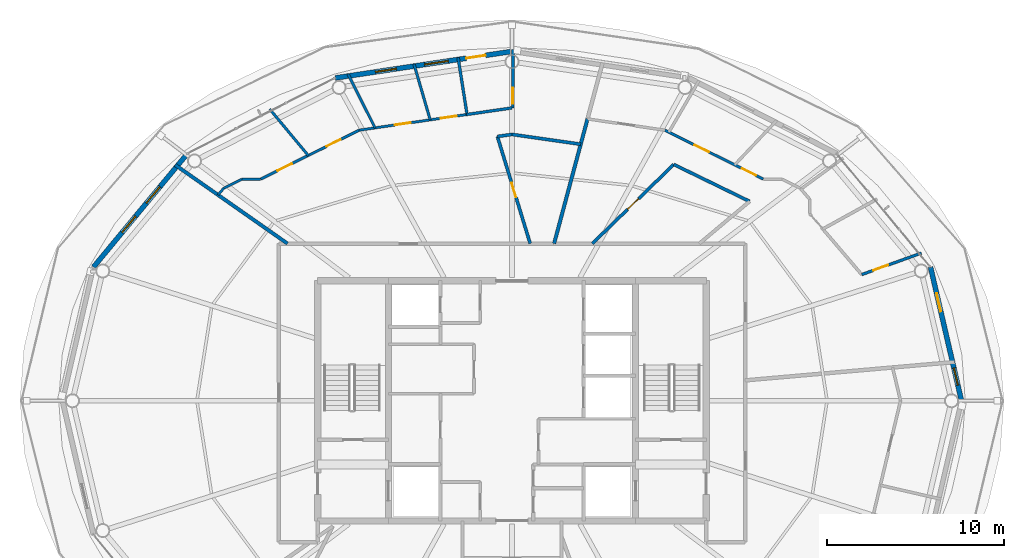
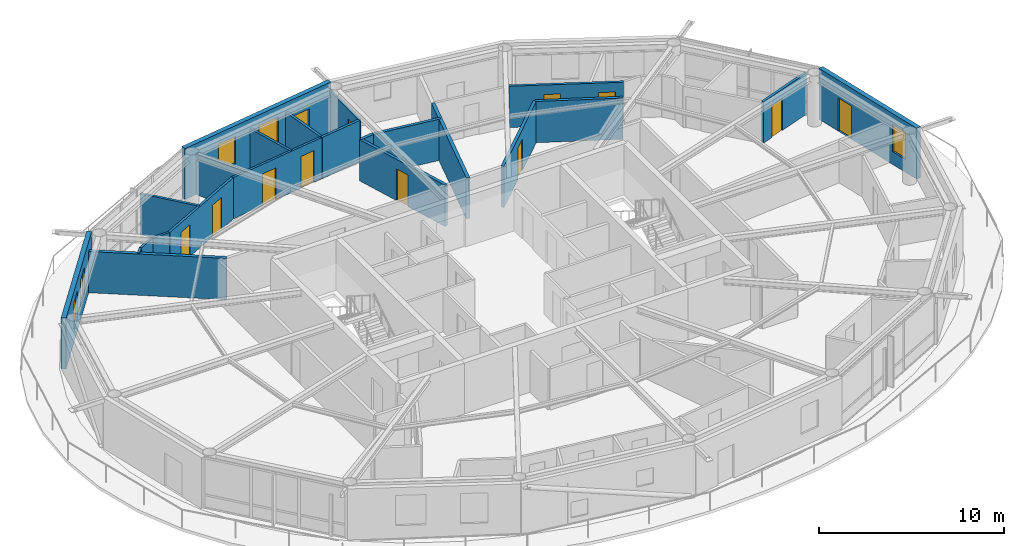
# One storey, part 19 of 23: 23 walls, 12 doors, 5 windows, 17 openings.
"""IFC4 building model written with IfcOpenShell, lengths in metres."""

import ifcopenshell
import ifcopenshell.guid

model = None  # the IFC model being written
_history = None  # IfcOwnerHistory: only IFC2X3 demands one
_inside = {}  # id of a spatial element -> (the spatial element, [elements in it])
_under = {}  # id of a project, library or spatial element -> (it, [spatial elements below it])
_declared = {}  # id of a project -> (the project, [libraries it declares])
_typed = {}  # id of a type object -> (the type object, [elements of that type])
_made_of = {}  # id of a material, layer set ... -> (it, [elements and type objects made of it])


def new_model(schema):
    """Start an empty IFC model of exactly this schema.

    Asked for "IFC4X3", IfcOpenShell would pick the latest addendum, in which some entities
    have other attributes; the version numbers below select the first issue.
    IFC2X3 requires an IfcOwnerHistory on every rooted entity: one is made here for all.
    """
    global model, _history
    if schema == "IFC4X3":
        model = ifcopenshell.file(schema_version=(4, 3, 0, 0))
    else:
        model = ifcopenshell.file(schema=schema)
    _inside.clear()
    _under.clear()
    _declared.clear()
    _typed.clear()
    _made_of.clear()
    _history = None
    if model.schema == "IFC2X3":
        org = make("IfcOrganization", Name="unknown")
        user = make(
            "IfcPersonAndOrganization",
            ThePerson=make("IfcPerson", FamilyName="unknown"),
            TheOrganization=org,
        )
        app = make(
            "IfcApplication",
            ApplicationDeveloper=org,
            Version="unknown",
            ApplicationFullName="unknown",
            ApplicationIdentifier="unknown",
        )
        _history = make(
            "IfcOwnerHistory",
            OwningUser=user,
            OwningApplication=app,
            ChangeAction="ADDED",
            CreationDate=0,
        )
    return model


def make(cls, **values):
    """One entity of the class cls with the attributes given. An attribute that is None is left unset."""
    return model.create_entity(
        cls, **{name: value for name, value in values.items() if value is not None}
    )


def rooted(cls, **values):
    """An entity with a GlobalId (a new one), such as an element, a storey or a relation."""
    return make(cls, GlobalId=ifcopenshell.guid.new(), OwnerHistory=_history, **values)


def si_unit(unit_type, name, prefix=None):
    """IfcSIUnit, for example si_unit("LENGTHUNIT", "METRE", prefix="MILLI")."""
    return make("IfcSIUnit", UnitType=unit_type, Prefix=prefix, Name=name)


def assignment(units):
    """IfcUnitAssignment: the units of a project."""
    return None if units is None else make("IfcUnitAssignment", Units=units)


def point(xyz):
    """IfcCartesianPoint."""
    return None if xyz is None else make("IfcCartesianPoint", Coordinates=xyz)


def direction(xyz):
    """IfcDirection."""
    return None if xyz is None else make("IfcDirection", DirectionRatios=xyz)


def frame(location, z_axis=None, x_axis=None):
    """IfcAxis2Placement3D, a coordinate frame: its origin and axes. An axis left out is left unset."""
    return make(
        "IfcAxis2Placement3D",
        Location=point(location),
        Axis=direction(z_axis),
        RefDirection=direction(x_axis),
    )


def frame_2d(location, x_axis=None):
    """IfcAxis2Placement2D, a coordinate frame in the plane: its origin and x axis."""
    return make(
        "IfcAxis2Placement2D", Location=point(location), RefDirection=direction(x_axis)
    )


def origin():
    """The frame at (0, 0, 0) with its axes left unset."""
    return frame((0.0, 0.0, 0.0))


def place(relative_to, where):
    """IfcLocalPlacement: puts the frame where relative to a parent placement (None: the world)."""
    return make(
        "IfcLocalPlacement", PlacementRelTo=relative_to, RelativePlacement=where
    )


def context(
    kind, dimensions, precision=None, world=None, true_north=None, identifier=None
):
    """IfcGeometricRepresentationContext, for example the 3D "Model" context."""
    return make(
        "IfcGeometricRepresentationContext",
        ContextIdentifier=identifier,
        ContextType=kind,
        CoordinateSpaceDimension=dimensions,
        Precision=precision,
        WorldCoordinateSystem=world,
        TrueNorth=true_north,
    )


def subcontext(parent, identifier, kind, view, scale=None):
    """IfcGeometricRepresentationSubContext, for example "Body" below "Model"."""
    return make(
        "IfcGeometricRepresentationSubContext",
        ContextIdentifier=identifier,
        ContextType=kind,
        ParentContext=parent,
        TargetScale=scale,
        TargetView=view,
    )


def project(units=None, contexts=None):
    """IfcProject with its units and contexts."""
    return rooted(
        "IfcProject",
        Name="project",
        RepresentationContexts=contexts,
        UnitsInContext=assignment(units),
    )


def spatial(cls, under=None, at=None, **own):
    """A site, building, storey or space (cls), placed at a placement, below another one or the project."""
    s = rooted(cls, ObjectPlacement=at, **own)
    if under is not None:
        _under.setdefault(under.id(), (under, []))[1].append(s)
    return s


def profile(cls, at=None, kind="AREA", **sizes):
    """A parametric profile (cls). Its sizes go by their IFC names, for example OverallWidth=200.0."""
    return make(cls, ProfileType=kind, Position=at, **sizes)


def rectangle(**sizes):
    """IfcRectangleProfileDef."""
    return profile("IfcRectangleProfileDef", **sizes)


def extrude(swept, where, along, depth):
    """IfcExtrudedAreaSolid: the profile swept, set in the frame where, extruded along a direction by depth."""
    return make(
        "IfcExtrudedAreaSolid",
        SweptArea=swept,
        Position=where,
        ExtrudedDirection=direction(along),
        Depth=depth,
    )


def shape(context_of_items, identifier, shape_type, items):
    """IfcShapeRepresentation: the items that make up one representation, for example the "Body"."""
    return make(
        "IfcShapeRepresentation",
        ContextOfItems=context_of_items,
        RepresentationIdentifier=identifier,
        RepresentationType=shape_type,
        Items=items,
    )


def material(Name=None, Category=None):
    """IfcMaterial."""
    return make("IfcMaterial", Name=Name, Category=Category)


def layer(
    of_material, thickness, ventilated=None, Name=None, Category=None, Priority=None
):
    """IfcMaterialLayer: one layer of a wall or slab, of a material (None: an air gap)."""
    return make(
        "IfcMaterialLayer",
        Material=of_material,
        LayerThickness=thickness,
        IsVentilated=ventilated,
        Name=Name,
        Category=Category,
        Priority=Priority,
    )


def layer_set(layers, Name=None):
    """IfcMaterialLayerSet."""
    return make("IfcMaterialLayerSet", MaterialLayers=layers, LayerSetName=Name)


def made_of(thing, what):
    """Note that an element or type object is made of a material, layer set ...; save() writes the relation."""
    if what is not None:
        _made_of.setdefault(what.id(), (what, []))[1].append(thing)
    return thing


def type_object(cls, material=None, **own):
    """A type object (cls), such as IfcWallType, which elements share."""
    return made_of(rooted(cls, **own), material)


def element(
    cls,
    number,
    at=None,
    inside=None,
    cuts=None,
    type_object=None,
    material=None,
    context=None,
    identifier="Body",
    shape_type=None,
    held_by="IfcProductDefinitionShape",
    body=None,
    shapes=None,
    **own,
):
    """One element of the class cls, such as IfcWall. Its Tag is "e" and its number.

    at: its placement. inside: the storey or other place that contains it. cuts: it is an
    opening in that element (IfcRelVoidsElement). A single representation is given by context,
    identifier, shape_type and body (its items); several are given by shapes. held_by: the class
    of the entity that holds the representations. save() writes the other relations.
    """
    e = rooted(cls, Tag="e%d" % number, ObjectPlacement=at, **own)
    if body is not None:
        shapes = [shape(context, identifier, shape_type, body)]
    if shapes is not None:
        e.Representation = make(held_by, Representations=shapes)
    if inside is not None:
        _inside.setdefault(inside.id(), (inside, []))[1].append(e)
    if cuts is not None:
        rooted(
            "IfcRelVoidsElement", RelatingBuildingElement=cuts, RelatedOpeningElement=e
        )
    if type_object is not None:
        _typed.setdefault(type_object.id(), (type_object, []))[1].append(e)
    return made_of(e, material)


def fill(opening, filler):
    """IfcRelFillsElement: the door or window that sits in an opening."""
    return rooted(
        "IfcRelFillsElement",
        RelatingOpeningElement=opening,
        RelatedBuildingElement=filler,
    )


def aggregate(whole, parts):
    """IfcRelAggregates: a whole, such as a stair, and the parts it consists of."""
    return rooted("IfcRelAggregates", RelatingObject=whole, RelatedObjects=parts)


def save(model, path):
    """Write the relations noted so far, then the file.

    IfcRelAggregates (storeys below a building ...), IfcRelContainedInSpatialStructure (elements
    in a storey), IfcRelDefinesByType, IfcRelAssociatesMaterial and IfcRelDeclares: one each for
    every whole, place, type object, material and project.
    """
    for whole, parts in _under.values():
        aggregate(whole, parts)
    for where, things in _inside.values():
        rooted(
            "IfcRelContainedInSpatialStructure",
            RelatedElements=things,
            RelatingStructure=where,
        )
    for kind, things in _typed.values():
        rooted("IfcRelDefinesByType", RelatedObjects=things, RelatingType=kind)
    for what, things in _made_of.values():
        rooted("IfcRelAssociatesMaterial", RelatedObjects=things, RelatingMaterial=what)
    for by, libraries in _declared.values():
        rooted("IfcRelDeclares", RelatingContext=by, RelatedDefinitions=libraries)
    model.write(path)


model = new_model("IFC4")

# Units and contexts
model_context = context("Model", 3, precision=1e-05, world=origin(), true_north=direction((0.0, 1.0)))
body_context = subcontext(model_context, "Body", "Model", "MODEL_VIEW")
ifc_project = project(units=[si_unit("LENGTHUNIT", "METRE"), si_unit("AREAUNIT", "SQUARE_METRE"), si_unit("VOLUMEUNIT", "CUBIC_METRE"), si_unit("PLANEANGLEUNIT", "RADIAN"), si_unit("MASSUNIT", "GRAM", prefix="KILO")], contexts=[model_context])

# Site, building, storey
site_placement = place(None, origin())
site = spatial("IfcSite", under=ifc_project, at=site_placement, CompositionType="ELEMENT")
building_placement = place(site_placement, origin())
building = spatial("IfcBuilding", under=site, at=building_placement, Name="Sarneth Arch Tower", CompositionType="ELEMENT")
storey_placement = place(building_placement, frame((0.0, 0.0, 276.60009765625)))
storey = spatial("IfcBuildingStorey", under=building, at=storey_placement, Name="L71", CompositionType="ELEMENT", Elevation=276.60009765625)

# Wall, openings, door, window
ifc_material_1 = material(Name="Extruded terracotta rainscreen on Concrete C40/50 backing", Category="masonry")
ifc_layer_1 = layer(ifc_material_1, 0.280029296875)
ifc_layer_set_1 = layer_set([ifc_layer_1], Name="Extruded terracotta rainscreen on Concrete C40/50 backing")
wall_type_1 = type_object("IfcWallType", Name="WALL-EXT-TERRA-280", PredefinedType="SOLIDWALL", material=ifc_layer_set_1)
wall_1_placement = place(storey_placement, frame((73.447021484375, 42.0, 0.0), z_axis=(0.0, 0.0, 1.0), x_axis=(-0.225635078214, 0.974211892495, 0.0)))
wall_1 = element("IfcWall", 1, at=wall_1_placement, inside=storey, type_object=wall_type_1, Name="L71 Terracotta perimeter wall 01", PredefinedType="SOLIDWALL", context=body_context, shape_type="SweptSolid", body=[
    extrude(rectangle(XDim=7.77001953125, YDim=0.280029296875, at=frame_2d((3.885009765625, 0.0))), origin(), (0.0, 0.0, 1.0), 3.369873046875),
])
opening_1_placement = place(wall_1_placement, frame((5.192138671875, 0.0, 0.0)))
opening_1 = element("IfcOpeningElement", 2, at=opening_1_placement, cuts=wall_1, Name="Opening BD-4", PredefinedType="OPENING", context=body_context, shape_type="SweptSolid", body=[
    extrude(rectangle(XDim=1.050048828125, YDim=2.199951171875, at=frame_2d((0.52490234375, 1.10009765625))), frame((0.0, 0.14990234375, 0.0), z_axis=(0.0, -1.0, 0.0), x_axis=(1.0, 0.0, 0.0)), (0.0, 0.0, 1.0), 0.300048828125),
])
opening_2_placement = place(wall_1_placement, frame((0.9072265625, 0.0, 0.85009765625)))
opening_2 = element("IfcOpeningElement", 3, at=opening_2_placement, cuts=wall_1, Name="Opening W-11", PredefinedType="OPENING", context=body_context, shape_type="SweptSolid", body=[
    extrude(rectangle(XDim=1.0, YDim=1.800048828125, at=frame_2d((0.5, 0.89990234375))), frame((0.0, 0.14990234375, 0.0), z_axis=(0.0, -1.0, 0.0), x_axis=(1.0, 0.0, 0.0)), (0.0, 0.0, 1.0), 0.300048828125),
])
ifc_material_2 = material(Name="Thermally broken Aluminium 6063-T6 and laminated safety glass", Category="aluminium")
door_type_1 = type_object("IfcDoorType", Name="DR-BALC-GLZ-1050", OperationType="SINGLE_SWING_RIGHT", PredefinedType="DOOR", material=ifc_material_2)
door_1_placement = place(opening_1_placement, origin())
door_1 = element("IfcDoor", 4, at=door_1_placement, inside=storey, type_object=door_type_1, Name="L71 Balcony glazed door 01", OperationType="SINGLE_SWING_RIGHT", OverallHeight=2.199951171875, OverallWidth=1.050048828125, PredefinedType="DOOR", context=body_context, shape_type="SweptSolid", body=[
    extrude(rectangle(XDim=1.050048828125, YDim=2.199951171875, at=frame_2d((0.52490234375, 1.10009765625))), frame((0.0, 0.02490234375, 0.0), z_axis=(0.0, -1.0, 0.0), x_axis=(1.0, 0.0, 0.0)), (0.0, 0.0, 1.0), 0.050048828125),
])
fill(opening_1, door_1)
ifc_material_3 = material(Name="Thermally broken Aluminium 6063-T6 and low-e laminated IGU", Category="aluminium")
window_type_1 = type_object("IfcWindowType", Name="WIN-TWR-1000x1800", PartitioningType="SINGLE_PANEL", PredefinedType="WINDOW", material=ifc_material_3)
window_1_placement = place(opening_2_placement, origin())
window_1 = element("IfcWindow", 5, at=window_1_placement, inside=storey, type_object=window_type_1, Name="L71 Dwelling bedroom window 05", OverallHeight=1.800048828125, OverallWidth=1.0, PartitioningType="SINGLE_PANEL", PredefinedType="WINDOW", context=body_context, shape_type="SweptSolid", body=[
    extrude(rectangle(XDim=1.0, YDim=1.800048828125, at=frame_2d((0.5, 0.89990234375))), frame((0.0, 0.030029296875, 0.0), z_axis=(0.0, -1.0, 0.0), x_axis=(1.0, 0.0, 0.0)), (0.0, 0.0, 1.0), 0.06005859375),
])
fill(opening_2, window_1)

# Wall, openings, door, windows
wall_2_placement = place(storey_placement, frame((48.0, 61.780029296875, 0.0), z_axis=(0.0, 0.0, 1.0), x_axis=(-0.988882522213, -0.148698881169, 0.0)))
wall_2 = element("IfcWall", 6, at=wall_2_placement, inside=storey, type_object=wall_type_1, Name="L71 Terracotta perimeter wall 05", PredefinedType="SOLIDWALL", context=body_context, shape_type="SweptSolid", body=[
    extrude(rectangle(XDim=10.125244140625, YDim=0.280029296875, at=frame_2d((5.0625, 0.0))), origin(), (0.0, 0.0, 1.0), 3.369873046875),
])
opening_3_placement = place(wall_2_placement, frame((1.51611328125, 0.0, 0.0)))
opening_3 = element("IfcOpeningElement", 7, at=opening_3_placement, cuts=wall_2, Name="Opening BD-3", PredefinedType="OPENING", context=body_context, shape_type="SweptSolid", body=[
    extrude(rectangle(XDim=1.10009765625, YDim=2.25, at=frame_2d((0.550048828125, 1.125))), frame((0.0, 0.14990234375, 0.0), z_axis=(0.0, -1.0, 0.0), x_axis=(1.0, 0.0, 0.0)), (0.0, 0.0, 1.0), 0.300048828125),
])
opening_4_placement = place(wall_2_placement, frame((3.657470703125, 0.0, 0.85009765625)))
opening_4 = element("IfcOpeningElement", 8, at=opening_4_placement, cuts=wall_2, Name="Opening W-08", PredefinedType="OPENING", context=body_context, shape_type="SweptSolid", body=[
    extrude(rectangle(XDim=1.35009765625, YDim=1.800048828125, at=frame_2d((0.675048828125, 0.89990234375))), frame((0.0, 0.14990234375, 0.0), z_axis=(0.0, -1.0, 0.0), x_axis=(1.0, 0.0, 0.0)), (0.0, 0.0, 1.0), 0.300048828125),
])
opening_5_placement = place(wall_2_placement, frame((6.61572265625, 0.0, 0.85009765625)))
opening_5 = element("IfcOpeningElement", 9, at=opening_5_placement, cuts=wall_2, Name="Opening W-09", PredefinedType="OPENING", context=body_context, shape_type="SweptSolid", body=[
    extrude(rectangle(XDim=1.199951171875, YDim=1.800048828125, at=frame_2d((0.60009765625, 0.89990234375))), frame((0.0, 0.14990234375, 0.0), z_axis=(0.0, -1.0, 0.0), x_axis=(1.0, 0.0, 0.0)), (0.0, 0.0, 1.0), 0.300048828125),
])
ifc_material_4 = material(Name="Thermally broken Aluminium 6063-T6 and laminated safety glass", Category="aluminium")
door_type_2 = type_object("IfcDoorType", Name="DR-BALC-GLZ-1100", OperationType="SINGLE_SWING_LEFT", PredefinedType="DOOR", material=ifc_material_4)
door_2_placement = place(opening_3_placement, origin())
door_2 = element("IfcDoor", 10, at=door_2_placement, inside=storey, type_object=door_type_2, Name="L71 Balcony glazed door 05", OperationType="SINGLE_SWING_LEFT", OverallHeight=2.25, OverallWidth=1.10009765625, PredefinedType="DOOR", context=body_context, shape_type="SweptSolid", body=[
    extrude(rectangle(XDim=1.10009765625, YDim=2.25, at=frame_2d((0.550048828125, 1.125))), frame((0.0, 0.02490234375, 0.0), z_axis=(0.0, -1.0, 0.0), x_axis=(1.0, 0.0, 0.0)), (0.0, 0.0, 1.0), 0.050048828125),
])
fill(opening_3, door_2)
ifc_material_5 = material(Name="Thermally broken Aluminium 6063-T6 and low-e laminated IGU", Category="aluminium")
window_type_2 = type_object("IfcWindowType", Name="WIN-TWR-1200x1800", PartitioningType="SINGLE_PANEL", PredefinedType="WINDOW", material=ifc_material_5)
window_2_placement = place(opening_5_placement, origin())
window_2 = element("IfcWindow", 11, at=window_2_placement, inside=storey, type_object=window_type_2, Name="L71 Exterior window 05B", OverallHeight=1.800048828125, OverallWidth=1.199951171875, PartitioningType="SINGLE_PANEL", PredefinedType="WINDOW", context=body_context, shape_type="SweptSolid", body=[
    extrude(rectangle(XDim=1.199951171875, YDim=1.800048828125, at=frame_2d((0.60009765625, 0.89990234375))), frame((0.0, 0.030029296875, 0.0), z_axis=(0.0, -1.0, 0.0), x_axis=(1.0, 0.0, 0.0)), (0.0, 0.0, 1.0), 0.06005859375),
])
fill(opening_5, window_2)
ifc_material_6 = material(Name="Thermally broken Aluminium 6063-T6 and low-e laminated IGU", Category="aluminium")
window_type_3 = type_object("IfcWindowType", Name="WIN-TWR-1350x1800", PartitioningType="SINGLE_PANEL", PredefinedType="WINDOW", material=ifc_material_6)
window_3_placement = place(opening_4_placement, origin())
window_3 = element("IfcWindow", 12, at=window_3_placement, inside=storey, type_object=window_type_3, Name="L71 Exterior window 05A", OverallHeight=1.800048828125, OverallWidth=1.35009765625, PartitioningType="SINGLE_PANEL", PredefinedType="WINDOW", context=body_context, shape_type="SweptSolid", body=[
    extrude(rectangle(XDim=1.35009765625, YDim=1.800048828125, at=frame_2d((0.675048828125, 0.89990234375))), frame((0.0, 0.030029296875, 0.0), z_axis=(0.0, -1.0, 0.0), x_axis=(1.0, 0.0, 0.0)), (0.0, 0.0, 1.0), 0.06005859375),
])
fill(opening_4, window_3)

# Wall, openings, windows
wall_3_placement = place(storey_placement, frame((29.617431640625, 55.986572265625, 0.0), z_axis=(0.0, 0.0, 1.0), x_axis=(-0.63761509934, -0.770355103243, 0.0)))
wall_3 = element("IfcWall", 13, at=wall_3_placement, inside=storey, type_object=wall_type_1, Name="L71 Terracotta perimeter wall 07", PredefinedType="SOLIDWALL", context=body_context, shape_type="SweptSolid", body=[
    extrude(rectangle(XDim=8.329833984375, YDim=0.280029296875, at=frame_2d((4.1650390625, 0.0))), origin(), (0.0, 0.0, 1.0), 3.369873046875),
])
opening_6_placement = place(wall_3_placement, frame((2.42626953125, 0.0, 0.85009765625)))
opening_6 = element("IfcOpeningElement", 14, at=opening_6_placement, cuts=wall_3, Name="Opening W-09", PredefinedType="OPENING", context=body_context, shape_type="SweptSolid", body=[
    extrude(rectangle(XDim=1.199951171875, YDim=1.800048828125, at=frame_2d((0.60009765625, 0.89990234375))), frame((0.0, 0.14990234375, 0.0), z_axis=(0.0, -1.0, 0.0), x_axis=(1.0, 0.0, 0.0)), (0.0, 0.0, 1.0), 0.300048828125),
])
opening_7_placement = place(wall_3_placement, frame((4.59619140625, 0.0, 0.85009765625)))
opening_7 = element("IfcOpeningElement", 15, at=opening_7_placement, cuts=wall_3, Name="Opening W-09", PredefinedType="OPENING", context=body_context, shape_type="SweptSolid", body=[
    extrude(rectangle(XDim=1.199951171875, YDim=1.800048828125, at=frame_2d((0.60009765625, 0.89990234375))), frame((0.0, 0.14990234375, 0.0), z_axis=(0.0, -1.0, 0.0), x_axis=(1.0, 0.0, 0.0)), (0.0, 0.0, 1.0), 0.300048828125),
])
window_4_placement = place(opening_6_placement, origin())
window_4 = element("IfcWindow", 16, at=window_4_placement, inside=storey, type_object=window_type_2, Name="L71 Exterior window 07A", OverallHeight=1.800048828125, OverallWidth=1.199951171875, PartitioningType="SINGLE_PANEL", PredefinedType="WINDOW", context=body_context, shape_type="SweptSolid", body=[
    extrude(rectangle(XDim=1.199951171875, YDim=1.800048828125, at=frame_2d((0.60009765625, 0.89990234375))), frame((0.0, 0.030029296875, 0.0), z_axis=(0.0, -1.0, 0.0), x_axis=(1.0, 0.0, 0.0)), (0.0, 0.0, 1.0), 0.06005859375),
])
fill(opening_6, window_4)
window_5_placement = place(opening_7_placement, origin())
window_5 = element("IfcWindow", 17, at=window_5_placement, inside=storey, type_object=window_type_2, Name="L71 Exterior window 07B", OverallHeight=1.800048828125, OverallWidth=1.199951171875, PartitioningType="SINGLE_PANEL", PredefinedType="WINDOW", context=body_context, shape_type="SweptSolid", body=[
    extrude(rectangle(XDim=1.199951171875, YDim=1.800048828125, at=frame_2d((0.60009765625, 0.89990234375))), frame((0.0, 0.030029296875, 0.0), z_axis=(0.0, -1.0, 0.0), x_axis=(1.0, 0.0, 0.0)), (0.0, 0.0, 1.0), 0.06005859375),
])
fill(opening_7, window_5)

# Wall, openings, doors
ifc_material_7 = material(Name="Apartment internal stud partition", Category="gypsum")
ifc_layer_2 = layer(ifc_material_7, 0.139892578125)
ifc_layer_set_2 = layer_set([ifc_layer_2], Name="Apartment internal stud partition")
wall_type_2 = type_object("IfcWallType", Name="WALL-PART-140", PredefinedType="PARTITIONING", material=ifc_layer_set_2)
wall_4_placement = place(storey_placement, frame((45.486572265625, 58.21337890625, 0.0), z_axis=(0.0, 0.0, 1.0), x_axis=(-0.98953543847, -0.144290041276, 0.0)))
wall_4 = element("IfcWall", 18, at=wall_4_placement, inside=storey, type_object=wall_type_2, Name="L71 Interior partition W-L71-TP-048", PredefinedType="PARTITIONING", context=body_context, shape_type="SweptSolid", body=[
    extrude(rectangle(XDim=6.206298828125, YDim=0.139892578125, at=frame_2d((3.10302734375, 0.0))), origin(), (0.0, 0.0, 1.0), 2.72998046875),
])
opening_8_placement = place(wall_4_placement, frame((3.266845703125, 0.0, 0.0)))
opening_8 = element("IfcOpeningElement", 19, at=opening_8_placement, cuts=wall_4, Name="Opening ID-01", PredefinedType="OPENING", context=body_context, shape_type="SweptSolid", body=[
    extrude(rectangle(XDim=0.89990234375, YDim=2.10009765625, at=frame_2d((0.449951171875, 1.050048828125))), frame((0.0, 0.079833984375, 0.0), z_axis=(0.0, -1.0, 0.0), x_axis=(1.0, 0.0, 0.0)), (0.0, 0.0, 1.0), 0.159912109375),
])
opening_9_placement = place(wall_4_placement, frame((0.635986328125, 0.0, 0.0)))
opening_9 = element("IfcOpeningElement", 20, at=opening_9_placement, cuts=wall_4, Name="Opening ID-01", PredefinedType="OPENING", context=body_context, shape_type="SweptSolid", body=[
    extrude(rectangle(XDim=0.89990234375, YDim=2.10009765625, at=frame_2d((0.449951171875, 1.050048828125))), frame((0.0, 0.079833984375, 0.0), z_axis=(0.0, -1.0, 0.0), x_axis=(1.0, 0.0, 0.0)), (0.0, 0.0, 1.0), 0.159912109375),
])
ifc_material_8 = material(Name="Engineered hardwood flush door", Category="wood")
door_type_3 = type_object("IfcDoorType", Name="DR-INT-900", OperationType="SINGLE_SWING_LEFT", PredefinedType="DOOR", material=ifc_material_8)
door_3_placement = place(opening_8_placement, origin())
door_3 = element("IfcDoor", 21, at=door_3_placement, inside=storey, type_object=door_type_3, Name="L71 Interior door DR-L71-U2-BED1", OperationType="SINGLE_SWING_RIGHT", OverallHeight=2.10009765625, OverallWidth=0.89990234375, PredefinedType="DOOR", context=body_context, shape_type="SweptSolid", body=[
    extrude(rectangle(XDim=0.89990234375, YDim=2.10009765625, at=frame_2d((0.449951171875, 1.050048828125))), frame((0.0, 0.02490234375, 0.0), z_axis=(0.0, -1.0, 0.0), x_axis=(1.0, 0.0, 0.0)), (0.0, 0.0, 1.0), 0.050048828125),
])
fill(opening_8, door_3)
door_4_placement = place(opening_9_placement, origin())
door_4 = element("IfcDoor", 22, at=door_4_placement, inside=storey, type_object=door_type_3, Name="L71 Interior door DR-L71-U2-STD", OperationType="SINGLE_SWING_RIGHT", OverallHeight=2.10009765625, OverallWidth=0.89990234375, PredefinedType="DOOR", context=body_context, shape_type="SweptSolid", body=[
    extrude(rectangle(XDim=0.89990234375, YDim=2.10009765625, at=frame_2d((0.449951171875, 1.050048828125))), frame((0.0, 0.02490234375, 0.0), z_axis=(0.0, -1.0, 0.0), x_axis=(1.0, 0.0, 0.0)), (0.0, 0.0, 1.0), 0.050048828125),
])
fill(opening_9, door_4)

# Walls
wall_5_placement = place(storey_placement, frame((31.68896484375, 54.0419921875, 0.0), z_axis=(0.0, 0.0, 1.0), x_axis=(0.895409226325, 0.445244109912, 0.0)))
element("IfcWall", 23, at=wall_5_placement, inside=storey, type_object=wall_type_2, Name="L71 Interior partition W-L71-TP-052", PredefinedType="PARTITIONING", context=body_context, shape_type="SweptSolid", body=[
    extrude(rectangle(XDim=1.14111328125, YDim=0.139892578125, at=frame_2d((0.570556640625, 0.0))), origin(), (0.0, 0.0, 1.0), 2.72998046875),
])
wall_6_placement = place(storey_placement, frame((32.710693359375, 54.550048828125, 0.0), z_axis=(0.0, 0.0, 1.0), x_axis=(1.0, 0.0, 0.0)))
element("IfcWall", 24, at=wall_6_placement, inside=storey, type_object=wall_type_2, Name="L71 Interior partition W-L71-TP-053", PredefinedType="PARTITIONING", context=body_context, shape_type="SweptSolid", body=[
    extrude(rectangle(XDim=1.0625, YDim=0.139892578125, at=frame_2d((0.53125, 0.0))), origin(), (0.0, 0.0, 1.0), 2.72998046875),
])
wall_7_placement = place(storey_placement, frame((31.357421875, 53.6533203125, 0.0), z_axis=(0.0, 0.0, 1.0), x_axis=(0.648979151054, 0.76080619181, 0.0)))
element("IfcWall", 25, at=wall_7_placement, inside=storey, type_object=wall_type_2, Name="L71 Interior partition W-L71-TP-051", PredefinedType="PARTITIONING", context=body_context, shape_type="SweptSolid", body=[
    extrude(rectangle(XDim=0.510986328125, YDim=0.139892578125, at=frame_2d((0.25537109375, 0.0))), origin(), (0.0, 0.0, 1.0), 2.72998046875),
])

# Wall, openings, doors
ifc_material_9 = material(Name="Acoustic gypsum stud partition", Category="gypsum")
ifc_layer_3 = layer(ifc_material_9, 0.14990234375)
ifc_layer_set_3 = layer_set([ifc_layer_3], Name="Acoustic gypsum stud partition")
wall_type_3 = type_object("IfcWallType", Name="WALL-PART-150", PredefinedType="PARTITIONING", material=ifc_layer_set_3)
wall_8_placement = place(storey_placement, frame((56.65478515625, 57.318115234375, 0.0), z_axis=(0.0, 0.0, 1.0), x_axis=(0.895562239868, -0.444936258943, 0.0)))
wall_8 = element("IfcWall", 26, at=wall_8_placement, inside=storey, type_object=wall_type_3, Name="L71 Interior partition W-L71-TP-030", PredefinedType="PARTITIONING", context=body_context, shape_type="SweptSolid", body=[
    extrude(rectangle(XDim=6.221923828125, YDim=0.14990234375, at=frame_2d((3.11083984375, 0.0))), origin(), (0.0, 0.0, 1.0), 2.72998046875),
])
opening_10_placement = place(wall_8_placement, frame((1.8837890625, 0.0, 0.0)))
opening_10 = element("IfcOpeningElement", 27, at=opening_10_placement, cuts=wall_8, Name="Opening ID-01", PredefinedType="OPENING", context=body_context, shape_type="SweptSolid", body=[
    extrude(rectangle(XDim=0.89990234375, YDim=2.10009765625, at=frame_2d((0.449951171875, 1.050048828125))), frame((0.0, 0.0849609375, 0.0), z_axis=(0.0, -1.0, 0.0), x_axis=(1.0, 0.0, 0.0)), (0.0, 0.0, 1.0), 0.169921875),
])
opening_11_placement = place(wall_8_placement, frame((4.867919921875, 0.0, 0.0)))
opening_11 = element("IfcOpeningElement", 28, at=opening_11_placement, cuts=wall_8, Name="Opening ID-01", PredefinedType="OPENING", context=body_context, shape_type="SweptSolid", body=[
    extrude(rectangle(XDim=0.89990234375, YDim=2.10009765625, at=frame_2d((0.449951171875, 1.050048828125))), frame((0.0, 0.0849609375, 0.0), z_axis=(0.0, -1.0, 0.0), x_axis=(1.0, 0.0, 0.0)), (0.0, 0.0, 1.0), 0.169921875),
])
door_5_placement = place(opening_10_placement, origin())
door_5 = element("IfcDoor", 29, at=door_5_placement, inside=storey, type_object=door_type_3, Name="L71 Interior door DR-L71-U1-BED2", OperationType="SINGLE_SWING_RIGHT", OverallHeight=2.10009765625, OverallWidth=0.89990234375, PredefinedType="DOOR", context=body_context, shape_type="SweptSolid", body=[
    extrude(rectangle(XDim=0.89990234375, YDim=2.10009765625, at=frame_2d((0.449951171875, 1.050048828125))), frame((0.0, 0.02490234375, 0.0), z_axis=(0.0, -1.0, 0.0), x_axis=(1.0, 0.0, 0.0)), (0.0, 0.0, 1.0), 0.050048828125),
])
fill(opening_10, door_5)
door_6_placement = place(opening_11_placement, origin())
door_6 = element("IfcDoor", 30, at=door_6_placement, inside=storey, type_object=door_type_3, Name="L71 Interior door DR-L71-U1-BED1", OperationType="SINGLE_SWING_LEFT", OverallHeight=2.10009765625, OverallWidth=0.89990234375, PredefinedType="DOOR", context=body_context, shape_type="SweptSolid", body=[
    extrude(rectangle(XDim=0.89990234375, YDim=2.10009765625, at=frame_2d((0.449951171875, 1.050048828125))), frame((0.0, 0.02490234375, 0.0), z_axis=(0.0, -1.0, 0.0), x_axis=(1.0, 0.0, 0.0)), (0.0, 0.0, 1.0), 0.050048828125),
])
fill(opening_11, door_6)

# Walls
wall_9_placement = place(storey_placement, frame((40.248046875, 57.44970703125, 0.0), z_axis=(0.0, 0.0, 1.0), x_axis=(-0.448472423908, 0.893796668708, 0.0)))
element("IfcWall", 31, at=wall_9_placement, inside=storey, type_object=wall_type_3, Name="L71 Interior partition W-L71-TP-058", PredefinedType="PARTITIONING", context=body_context, shape_type="SweptSolid", body=[
    extrude(rectangle(XDim=3.412109375, YDim=0.14990234375, at=frame_2d((1.7060546875, 0.0))), origin(), (0.0, 0.0, 1.0), 2.72998046875),
])
wall_10_placement = place(storey_placement, frame((36.464599609375, 55.886962890625, 0.0), z_axis=(0.0, 0.0, 1.0), x_axis=(-0.638979285107, 0.769223942168, 0.0)))
element("IfcWall", 32, at=wall_10_placement, inside=storey, type_object=wall_type_3, Name="L71 Interior partition W-L71-TP-059", PredefinedType="PARTITIONING", context=body_context, shape_type="SweptSolid", body=[
    extrude(rectangle(XDim=3.40966796875, YDim=0.14990234375, at=frame_2d((1.704833984375, 0.0))), origin(), (0.0, 0.0, 1.0), 2.72998046875),
])
wall_11_placement = place(storey_placement, frame((42.44873046875, 61.0654296875, 0.0), z_axis=(0.0, 0.0, 1.0), x_axis=(0.279527209814, -0.960137770829, 0.0)))
element("IfcWall", 33, at=wall_11_placement, inside=storey, type_object=wall_type_3, Name="L71 Interior partition W-L71-TP-057", PredefinedType="PARTITIONING", context=body_context, shape_type="SweptSolid", body=[
    extrude(rectangle(XDim=3.291748046875, YDim=0.14990234375, at=frame_2d((1.64599609375, 0.0))), origin(), (0.0, 0.0, 1.0), 2.72998046875),
])

# Wall, openings, doors
wall_12_placement = place(storey_placement, frame((33.773193359375, 54.550048828125, 0.0), z_axis=(0.0, 0.0, 1.0), x_axis=(0.895593510097, 0.44487331306, 0.0)))
wall_12 = element("IfcWall", 34, at=wall_12_placement, inside=storey, type_object=wall_type_3, Name="L71 Interior partition W-L71-TP-049", PredefinedType="PARTITIONING", context=body_context, shape_type="SweptSolid", body=[
    extrude(rectangle(XDim=6.2216796875, YDim=0.14990234375, at=frame_2d((3.11083984375, 0.0))), origin(), (0.0, 0.0, 1.0), 2.72998046875),
])
opening_12_placement = place(wall_12_placement, frame((4.14697265625, 0.0, 0.0)))
opening_12 = element("IfcOpeningElement", 35, at=opening_12_placement, cuts=wall_12, Name="Opening ID-01", PredefinedType="OPENING", context=body_context, shape_type="SweptSolid", body=[
    extrude(rectangle(XDim=0.89990234375, YDim=2.10009765625, at=frame_2d((0.449951171875, 1.050048828125))), frame((0.0, 0.0849609375, 0.0), z_axis=(0.0, -1.0, 0.0), x_axis=(1.0, 0.0, 0.0)), (0.0, 0.0, 1.0), 0.169921875),
])
opening_13_placement = place(wall_12_placement, frame((1.069091796875, 0.0, 0.0)))
opening_13 = element("IfcOpeningElement", 36, at=opening_13_placement, cuts=wall_12, Name="Opening ID-01", PredefinedType="OPENING", context=body_context, shape_type="SweptSolid", body=[
    extrude(rectangle(XDim=0.89990234375, YDim=2.10009765625, at=frame_2d((0.449951171875, 1.050048828125))), frame((0.0, 0.0849609375, 0.0), z_axis=(0.0, -1.0, 0.0), x_axis=(1.0, 0.0, 0.0)), (0.0, 0.0, 1.0), 0.169921875),
])
door_7_placement = place(opening_12_placement, origin())
door_7 = element("IfcDoor", 37, at=door_7_placement, inside=storey, type_object=door_type_3, Name="L71 Interior door DR-L71-U2-BED2", OperationType="SINGLE_SWING_LEFT", OverallHeight=2.10009765625, OverallWidth=0.89990234375, PredefinedType="DOOR", context=body_context, shape_type="SweptSolid", body=[
    extrude(rectangle(XDim=0.89990234375, YDim=2.10009765625, at=frame_2d((0.449951171875, 1.050048828125))), frame((0.0, 0.02490234375, 0.0), z_axis=(0.0, -1.0, 0.0), x_axis=(1.0, 0.0, 0.0)), (0.0, 0.0, 1.0), 0.050048828125),
])
fill(opening_12, door_7)
door_8_placement = place(opening_13_placement, origin())
door_8 = element("IfcDoor", 38, at=door_8_placement, inside=storey, type_object=door_type_3, Name="L71 Interior door DR-L71-U2-BED3", OperationType="SINGLE_SWING_LEFT", OverallHeight=2.10009765625, OverallWidth=0.89990234375, PredefinedType="DOOR", context=body_context, shape_type="SweptSolid", body=[
    extrude(rectangle(XDim=0.89990234375, YDim=2.10009765625, at=frame_2d((0.449951171875, 1.050048828125))), frame((0.0, 0.02490234375, 0.0), z_axis=(0.0, -1.0, 0.0), x_axis=(1.0, 0.0, 0.0)), (0.0, 0.0, 1.0), 0.050048828125),
])
fill(opening_13, door_8)

# Wall, opening, door
ifc_material_10 = material(Name="Kitchen wet service chase wall", Category="gypsum")
ifc_layer_4 = layer(ifc_material_10, 0.159912109375)
ifc_layer_set_4 = layer_set([ifc_layer_4], Name="Kitchen wet service chase wall")
wall_type_4 = type_object("IfcWallType", Name="WALL-PLUMB-160", PredefinedType="PLUMBINGWALL", material=ifc_layer_set_4)
wall_13_placement = place(storey_placement, frame((71.181884765625, 50.364990234375, 0.0), z_axis=(0.0, 0.0, 1.0), x_axis=(-0.940646622833, -0.339387582203, 0.0)))
wall_13 = element("IfcWall", 39, at=wall_13_placement, inside=storey, type_object=wall_type_4, Name="L71 Interior partition W-L71-TP-022", PredefinedType="PLUMBINGWALL", context=body_context, shape_type="SweptSolid", body=[
    extrude(rectangle(XDim=3.5966796875, YDim=0.159912109375, at=frame_2d((1.79833984375, 0.0))), origin(), (0.0, 0.0, 1.0), 2.72998046875),
])
opening_14_placement = place(wall_13_placement, frame((2.00830078125, 0.0, 0.0)))
opening_14 = element("IfcOpeningElement", 40, at=opening_14_placement, cuts=wall_13, Name="Opening ID-01", PredefinedType="OPENING", context=body_context, shape_type="SweptSolid", body=[
    extrude(rectangle(XDim=0.89990234375, YDim=2.10009765625, at=frame_2d((0.449951171875, 1.050048828125))), frame((0.0, 0.08984375, 0.0), z_axis=(0.0, -1.0, 0.0), x_axis=(1.0, 0.0, 0.0)), (0.0, 0.0, 1.0), 0.179931640625),
])
door_9_placement = place(opening_14_placement, origin())
door_9 = element("IfcDoor", 41, at=door_9_placement, inside=storey, type_object=door_type_3, Name="L71 Interior door DR-L71-U1-KIT", OperationType="SINGLE_SWING_RIGHT", OverallHeight=2.10009765625, OverallWidth=0.89990234375, PredefinedType="DOOR", context=body_context, shape_type="SweptSolid", body=[
    extrude(rectangle(XDim=0.89990234375, YDim=2.10009765625, at=frame_2d((0.449951171875, 1.050048828125))), frame((0.0, 0.02490234375, 0.0), z_axis=(0.0, -1.0, 0.0), x_axis=(1.0, 0.0, 0.0)), (0.0, 0.0, 1.0), 0.050048828125),
])
fill(opening_14, door_9)

wall_14_placement = place(storey_placement, frame((48.0458984375, 58.5732421875, 0.0), z_axis=(0.0, 0.0, 1.0), x_axis=(0.002721979175, 0.999996295408, 0.0)))
wall_14 = element("IfcWall", 42, at=wall_14_placement, inside=storey, type_object=wall_type_4, Name="L71 Interior partition W-L71-TP-044", PredefinedType="PLUMBINGWALL", context=body_context, shape_type="SweptSolid", body=[
    extrude(rectangle(XDim=3.318603515625, YDim=0.159912109375, at=frame_2d((1.6591796875, 0.0))), origin(), (0.0, 0.0, 1.0), 2.72998046875),
])
opening_15_placement = place(wall_14_placement, frame((0.249267578125, 0.0, 0.0)))
opening_15 = element("IfcOpeningElement", 43, at=opening_15_placement, cuts=wall_14, Name="Opening ID-01", PredefinedType="OPENING", context=body_context, shape_type="SweptSolid", body=[
    extrude(rectangle(XDim=0.89990234375, YDim=2.10009765625, at=frame_2d((0.449951171875, 1.050048828125))), frame((0.0, 0.08984375, 0.0), z_axis=(0.0, -1.0, 0.0), x_axis=(1.0, 0.0, 0.0)), (0.0, 0.0, 1.0), 0.179931640625),
])
door_10_placement = place(opening_15_placement, origin())
door_10 = element("IfcDoor", 44, at=door_10_placement, inside=storey, type_object=door_type_3, Name="L71 Interior door DR-L71-U2-KIT", OperationType="SINGLE_SWING_LEFT", OverallHeight=2.10009765625, OverallWidth=0.89990234375, PredefinedType="DOOR", context=body_context, shape_type="SweptSolid", body=[
    extrude(rectangle(XDim=0.89990234375, YDim=2.10009765625, at=frame_2d((0.449951171875, 1.050048828125))), frame((0.0, 0.02490234375, 0.0), z_axis=(0.0, -1.0, 0.0), x_axis=(1.0, 0.0, 0.0)), (0.0, 0.0, 1.0), 0.050048828125),
])
fill(opening_15, door_10)

# Walls
wall_15_placement = place(storey_placement, frame((45.454833984375, 58.208984375, 0.0), z_axis=(0.0, 0.0, 1.0), x_axis=(-0.155161914185, 0.987889052671, 0.0)))
element("IfcWall", 45, at=wall_15_placement, inside=storey, type_object=wall_type_4, Name="L71 Interior partition W-L71-TP-056", PredefinedType="PLUMBINGWALL", context=body_context, shape_type="SweptSolid", body=[
    extrude(rectangle(XDim=3.272705078125, YDim=0.159912109375, at=frame_2d((1.63623046875, 0.0))), origin(), (0.0, 0.0, 1.0), 2.72998046875),
])
wall_16_placement = place(storey_placement, frame((45.423095703125, 58.204345703125, 0.0), z_axis=(0.0, 0.0, 1.0), x_axis=(0.989536606461, 0.144282031013, 0.0)))
element("IfcWall", 46, at=wall_16_placement, inside=storey, type_object=wall_type_4, Name="L71 Interior partition W-L71-TP-043", PredefinedType="PLUMBINGWALL", context=body_context, shape_type="SweptSolid", body=[
    extrude(rectangle(XDim=2.604248046875, YDim=0.159912109375, at=frame_2d((1.30224609375, 0.0))), origin(), (0.0, 0.0, 1.0), 2.72998046875),
])

# Wall, opening, door
ifc_material_11 = material(Name="Moisture-resistant plumbing chase wall", Category="gypsum")
ifc_layer_5 = layer(ifc_material_11, 0.179931640625)
ifc_layer_set_5 = layer_set([ifc_layer_5], Name="Moisture-resistant plumbing chase wall")
wall_type_5 = type_object("IfcWallType", Name="WALL-PLUMB-180", PredefinedType="PLUMBINGWALL", material=ifc_layer_set_5)
wall_17_placement = place(storey_placement, frame((57.158935546875, 55.37890625, 0.0), z_axis=(0.0, 0.0, 1.0), x_axis=(-0.717176311368, -0.696891769511, 0.0)))
wall_17 = element("IfcWall", 47, at=wall_17_placement, inside=storey, type_object=wall_type_5, Name="L71 Interior partition W-L71-TP-026", PredefinedType="PLUMBINGWALL", context=body_context, shape_type="SweptSolid", body=[
    extrude(rectangle(XDim=6.427001953125, YDim=0.179931640625, at=frame_2d((3.21337890625, 0.0))), origin(), (0.0, 0.0, 1.0), 2.72998046875),
])
opening_16_placement = place(wall_17_placement, frame((2.78857421875, 0.0, 0.0)))
opening_16 = element("IfcOpeningElement", 48, at=opening_16_placement, cuts=wall_17, Name="Opening ID-02", PredefinedType="OPENING", context=body_context, shape_type="SweptSolid", body=[
    extrude(rectangle(XDim=0.85009765625, YDim=2.10009765625, at=frame_2d((0.425048828125, 1.050048828125))), frame((0.0, 0.099853515625, 0.0), z_axis=(0.0, -1.0, 0.0), x_axis=(1.0, 0.0, 0.0)), (0.0, 0.0, 1.0), 0.199951171875),
])
ifc_material_12 = material(Name="Moisture-resistant bathroom timber door", Category="wood")
door_type_4 = type_object("IfcDoorType", Name="DR-INT-850", OperationType="SINGLE_SWING_RIGHT", PredefinedType="DOOR", material=ifc_material_12)
door_11_placement = place(opening_16_placement, origin())
door_11 = element("IfcDoor", 49, at=door_11_placement, inside=storey, type_object=door_type_4, Name="L71 Interior door DR-L71-U1-BATH", OperationType="SINGLE_SWING_RIGHT", OverallHeight=2.10009765625, OverallWidth=0.85009765625, PredefinedType="DOOR", context=body_context, shape_type="SweptSolid", body=[
    extrude(rectangle(XDim=0.85009765625, YDim=2.10009765625, at=frame_2d((0.425048828125, 1.050048828125))), frame((0.0, 0.02490234375, 0.0), z_axis=(0.0, -1.0, 0.0), x_axis=(1.0, 0.0, 0.0)), (0.0, 0.0, 1.0), 0.050048828125),
])
fill(opening_16, door_11)

wall_18_placement = place(storey_placement, frame((47.174072265625, 56.9619140625, 0.0), z_axis=(0.0, 0.0, 1.0), x_axis=(0.29267834262, -0.956210953588, 0.0)))
wall_18 = element("IfcWall", 50, at=wall_18_placement, inside=storey, type_object=wall_type_5, Name="L71 Interior partition W-L71-TP-047", PredefinedType="PLUMBINGWALL", context=body_context, shape_type="SweptSolid", body=[
    extrude(rectangle(XDim=6.339599609375, YDim=0.179931640625, at=frame_2d((3.169921875, 0.0))), origin(), (0.0, 0.0, 1.0), 2.72998046875),
])
opening_17_placement = place(wall_18_placement, frame((2.74462890625, 0.0, 0.0)))
opening_17 = element("IfcOpeningElement", 51, at=opening_17_placement, cuts=wall_18, Name="Opening ID-02", PredefinedType="OPENING", context=body_context, shape_type="SweptSolid", body=[
    extrude(rectangle(XDim=0.85009765625, YDim=2.10009765625, at=frame_2d((0.425048828125, 1.050048828125))), frame((0.0, 0.099853515625, 0.0), z_axis=(0.0, -1.0, 0.0), x_axis=(1.0, 0.0, 0.0)), (0.0, 0.0, 1.0), 0.199951171875),
])
door_12_placement = place(opening_17_placement, origin())
door_12 = element("IfcDoor", 52, at=door_12_placement, inside=storey, type_object=door_type_4, Name="L71 Interior door DR-L71-U2-BATH", OperationType="SINGLE_SWING_LEFT", OverallHeight=2.10009765625, OverallWidth=0.85009765625, PredefinedType="DOOR", context=body_context, shape_type="SweptSolid", body=[
    extrude(rectangle(XDim=0.85009765625, YDim=2.10009765625, at=frame_2d((0.425048828125, 1.050048828125))), frame((0.0, 0.02490234375, 0.0), z_axis=(0.0, -1.0, 0.0), x_axis=(1.0, 0.0, 0.0)), (0.0, 0.0, 1.0), 0.050048828125),
])
fill(opening_17, door_12)

# Walls
wall_19_placement = place(storey_placement, frame((61.451416015625, 53.287109375, 0.0), z_axis=(0.0, 0.0, 1.0), x_axis=(-0.89894134286, 0.438069015221, 0.0)))
element("IfcWall", 53, at=wall_19_placement, inside=storey, type_object=wall_type_5, Name="L71 Interior partition W-L71-TP-025", PredefinedType="PLUMBINGWALL", context=body_context, shape_type="SweptSolid", body=[
    extrude(rectangle(XDim=4.775146484375, YDim=0.179931640625, at=frame_2d((2.3876953125, 0.0))), origin(), (0.0, 0.0, 1.0), 2.72998046875),
])
wall_20_placement = place(storey_placement, frame((51.8916015625, 56.523193359375, 0.0), z_axis=(0.0, 0.0, 1.0), x_axis=(-0.989915930408, 0.141656100205, 0.0)))
element("IfcWall", 54, at=wall_20_placement, inside=storey, type_object=wall_type_5, Name="L71 Interior partition W-L71-TP-045", PredefinedType="PLUMBINGWALL", context=body_context, shape_type="SweptSolid", body=[
    extrude(rectangle(XDim=3.93115234375, YDim=0.179931640625, at=frame_2d((1.965576171875, 0.0))), origin(), (0.0, 0.0, 1.0), 2.72998046875),
])
wall_21_placement = place(storey_placement, frame((48.0, 57.080078125, 0.0), z_axis=(0.0, 0.0, 1.0), x_axis=(-0.989920210862, -0.141626184469, 0.0)))
element("IfcWall", 55, at=wall_21_placement, inside=storey, type_object=wall_type_5, Name="L71 Interior partition W-L71-TP-046", PredefinedType="PLUMBINGWALL", context=body_context, shape_type="SweptSolid", body=[
    extrude(rectangle(XDim=0.834228515625, YDim=0.179931640625, at=frame_2d((0.4169921875, 0.0))), origin(), (0.0, 0.0, 1.0), 2.72998046875),
])
ifc_material_13 = material(Name="Double steel-stud acoustic drywall", Category="steel")
ifc_layer_6 = layer(ifc_material_13, 0.199951171875)
ifc_layer_set_6 = layer_set([ifc_layer_6], Name="Double steel-stud acoustic drywall")
wall_type_6 = type_object("IfcWallType", Name="WALL-UNIT-200", PredefinedType="PARTITIONING", material=ifc_layer_set_6)
wall_22_placement = place(storey_placement, frame((52.275390625, 57.95654296875, 0.0), z_axis=(0.0, 0.0, 1.0), x_axis=(-0.258793993177, -0.965932538584, 0.0)))
element("IfcWall", 56, at=wall_22_placement, inside=storey, type_object=wall_type_6, Name="L71 Interior partition W-L71-TP-034", PredefinedType="PARTITIONING", context=body_context, shape_type="SweptSolid", body=[
    extrude(rectangle(XDim=7.305419921875, YDim=0.199951171875, at=frame_2d((3.65283203125, 0.0))), origin(), (0.0, 0.0, 1.0), 2.72998046875),
])
wall_23_placement = place(storey_placement, frame((35.28955078125, 50.89990234375, 0.0), z_axis=(0.0, 0.0, 1.0), x_axis=(-0.819162424527, 0.573561611549, 0.0)))
element("IfcWall", 57, at=wall_23_placement, inside=storey, type_object=wall_type_6, Name="L71 Interior partition W-L71-TP-055", PredefinedType="PARTITIONING", context=body_context, shape_type="SweptSolid", body=[
    extrude(rectangle(XDim=7.757568359375, YDim=0.199951171875, at=frame_2d((3.87890625, 0.0))), origin(), (0.0, 0.0, 1.0), 2.72998046875),
])

save(model, "model.ifc")
